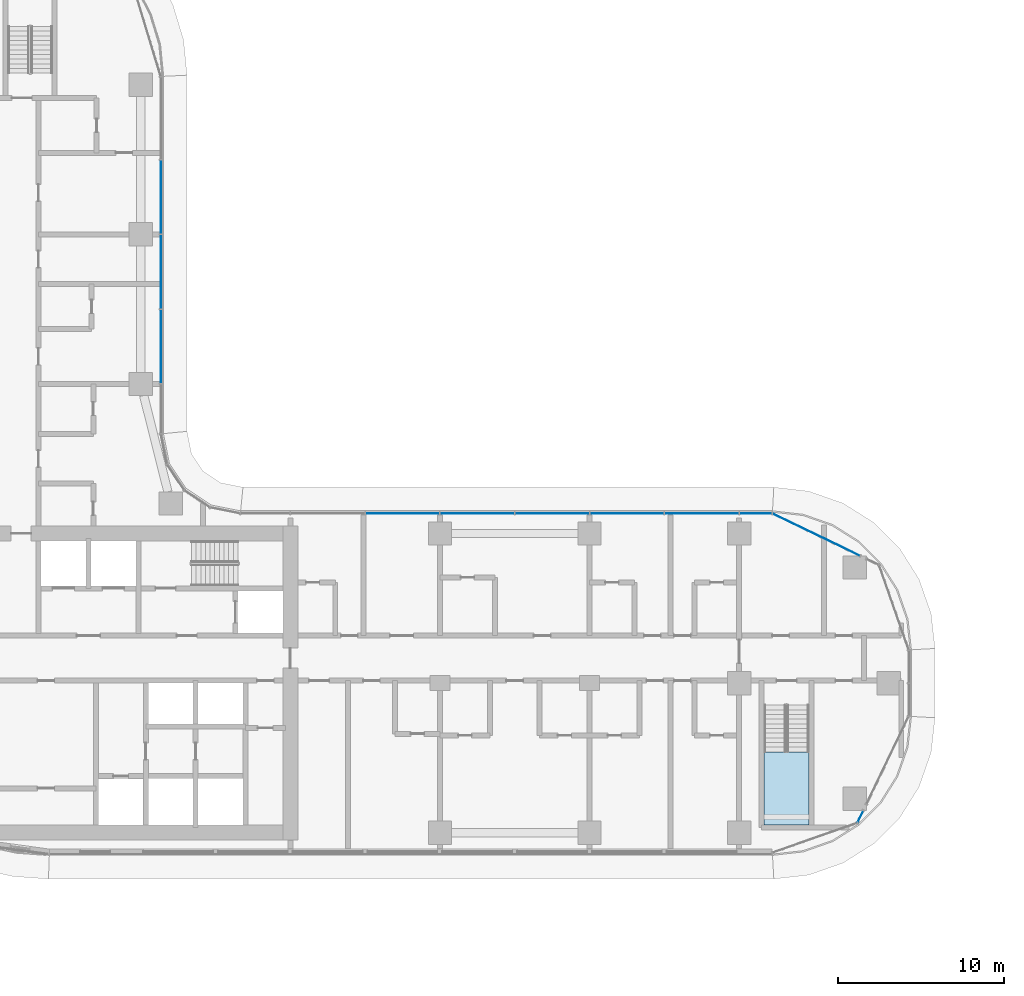
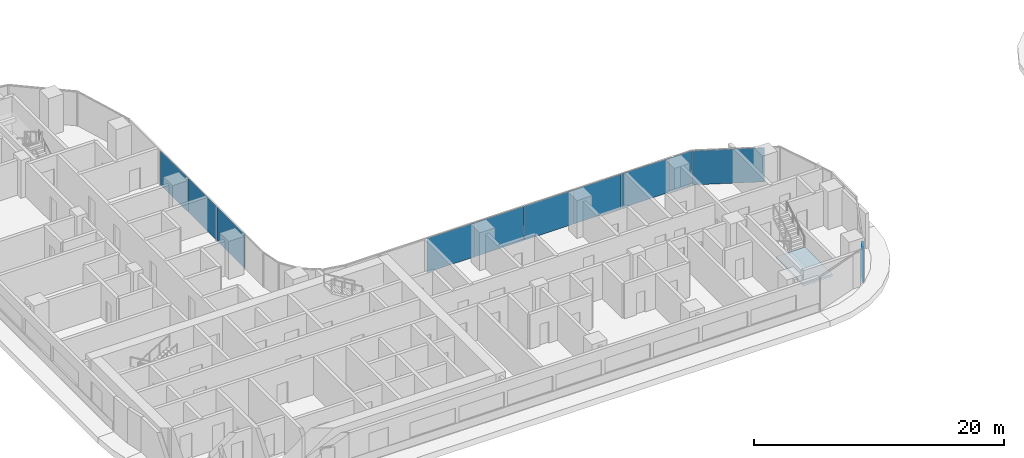
# One storey, part 15 of 39: 11 plates, 1 slab, 5 elements without a shape of their own.
"""IFC4 building model written with IfcOpenShell, lengths in metres."""

from ifc_helpers import new_model, si_unit, direction, frame, origin, origin_2d, place, context, subcontext, project, spatial, polyline, rectangle, outline, extrude, material, layer, layer_set, type_object, element, aggregate, save


model = new_model("IFC4")

# Units and contexts
model_context = context("Model", 3, precision=1e-05, world=origin(), true_north=direction((0.0, 1.0)))
body_context = subcontext(model_context, "Body", "Model", "MODEL_VIEW")
ifc_project = project(units=[si_unit("LENGTHUNIT", "METRE"), si_unit("AREAUNIT", "SQUARE_METRE"), si_unit("VOLUMEUNIT", "CUBIC_METRE"), si_unit("PLANEANGLEUNIT", "RADIAN"), si_unit("MASSUNIT", "GRAM", prefix="KILO")], contexts=[model_context])

# Site, building, storey
site_placement = place(None, origin())
site = spatial("IfcSite", under=ifc_project, at=site_placement, CompositionType="ELEMENT")
building_placement = place(site_placement, origin())
building = spatial("IfcBuilding", under=site, at=building_placement, Name="Ogive Portal Towers", CompositionType="ELEMENT")
storey_placement = place(building_placement, frame((0.0, 0.0, 44.60009765625)))
storey = spatial("IfcBuildingStorey", under=building, at=storey_placement, Name="L09", CompositionType="ELEMENT", Elevation=44.60009765625)

# Curtain wall, plates
ifc_material_1 = material(Name="Glass, clear low-iron insulated glazing", Category="glass")
curtain_wall_type = type_object("IfcCurtainWallType", Name="CW FRONT RIBBON 4500", PredefinedType="NOTDEFINED", material=ifc_material_1)
curtain_wall_1_placement = place(storey_placement, origin())
curtain_wall_1 = element("IfcCurtainWall", 1, at=curtain_wall_1_placement, inside=storey, type_object=curtain_wall_type, Name="A:L09:f11:cw0", PredefinedType="NOTDEFINED")
ifc_layer_1 = layer(ifc_material_1, 0.028076171875)
ifc_layer_set_1 = layer_set([ifc_layer_1], Name="CW PANEL IGU 28")
plate_type = type_object("IfcPlateType", Name="CW PANEL IGU 28", PredefinedType="CURTAIN_PANEL", material=ifc_layer_set_1)
plate_1_placement = place(storey_placement, frame((86.490966796875, 40.705078125, 0.0), z_axis=(0.0, 0.0, 1.0), x_axis=(-1.0, 0.0, 0.0)))
plate_1 = element("IfcPlate", 2, at=plate_1_placement, type_object=plate_type, Name="panel", PredefinedType="CURTAIN_PANEL", context=body_context, shape_type="SweptSolid", body=[
    extrude(rectangle(XDim=1.921630859375, YDim=0.028076171875, at=origin_2d()), origin(), (0.0, 0.0, 1.0), 3.340087890625),
])
plate_2_placement = place(storey_placement, frame((83.25, 40.705078125, 0.0), z_axis=(0.0, 0.0, 1.0), x_axis=(-1.0, 0.0, 0.0)))
plate_2 = element("IfcPlate", 3, at=plate_2_placement, type_object=plate_type, Name="panel", PredefinedType="CURTAIN_PANEL", context=body_context, shape_type="SweptSolid", body=[
    extrude(rectangle(XDim=4.43994140625, YDim=0.028076171875, at=origin_2d()), origin(), (0.0, 0.0, 1.0), 3.340087890625),
])
plate_3_placement = place(storey_placement, frame((78.75, 40.705078125, 0.0), z_axis=(0.0, 0.0, 1.0), x_axis=(-1.0, 0.0, 0.0)))
plate_3 = element("IfcPlate", 4, at=plate_3_placement, type_object=plate_type, Name="panel", PredefinedType="CURTAIN_PANEL", context=body_context, shape_type="SweptSolid", body=[
    extrude(rectangle(XDim=4.43994140625, YDim=0.028076171875, at=origin_2d()), origin(), (0.0, 0.0, 1.0), 3.340087890625),
])
plate_4_placement = place(storey_placement, frame((74.25, 40.705078125, 0.0), z_axis=(0.0, 0.0, 1.0), x_axis=(-1.0, 0.0, 0.0)))
plate_4 = element("IfcPlate", 5, at=plate_4_placement, type_object=plate_type, Name="panel", PredefinedType="CURTAIN_PANEL", context=body_context, shape_type="SweptSolid", body=[
    extrude(rectangle(XDim=4.43994140625, YDim=0.028076171875, at=origin_2d()), origin(), (0.0, 0.0, 1.0), 3.340087890625),
])
plate_5_placement = place(storey_placement, frame((69.75, 40.705078125, 0.0), z_axis=(0.0, 0.0, 1.0), x_axis=(-1.0, 0.0, 0.0)))
plate_5 = element("IfcPlate", 6, at=plate_5_placement, type_object=plate_type, Name="panel", PredefinedType="CURTAIN_PANEL", context=body_context, shape_type="SweptSolid", body=[
    extrude(rectangle(XDim=4.43994140625, YDim=0.028076171875, at=origin_2d()), origin(), (0.0, 0.0, 1.0), 3.340087890625),
])
plate_6_placement = place(storey_placement, frame((65.25, 40.705078125, 0.0), z_axis=(0.0, 0.0, 1.0), x_axis=(-1.0, 0.0, 0.0)))
plate_6 = element("IfcPlate", 7, at=plate_6_placement, type_object=plate_type, Name="panel", PredefinedType="CURTAIN_PANEL", context=body_context, shape_type="SweptSolid", body=[
    extrude(rectangle(XDim=4.43994140625, YDim=0.028076171875, at=origin_2d()), origin(), (0.0, 0.0, 1.0), 3.340087890625),
])
aggregate(curtain_wall_1, [plate_1, plate_2, plate_3, plate_4, plate_5, plate_6])

curtain_wall_2_placement = place(storey_placement, origin())
curtain_wall_2 = element("IfcCurtainWall", 8, at=curtain_wall_2_placement, inside=storey, type_object=curtain_wall_type, Name="A:L09:f16:cw0", PredefinedType="NOTDEFINED")
plate_7_placement = place(storey_placement, frame((50.705078125, 50.75, 0.0), z_axis=(0.0, 0.0, 1.0), x_axis=(0.0, 1.0, 0.0)))
plate_7 = element("IfcPlate", 9, at=plate_7_placement, type_object=plate_type, Name="panel", PredefinedType="CURTAIN_PANEL", context=body_context, shape_type="SweptSolid", body=[
    extrude(rectangle(XDim=4.43994140625, YDim=0.028076171875, at=origin_2d()), origin(), (0.0, 0.0, 1.0), 3.340087890625),
])
plate_8_placement = place(storey_placement, frame((50.705078125, 55.25, 0.0), z_axis=(0.0, 0.0, 1.0), x_axis=(0.0, 1.0, 0.0)))
plate_8 = element("IfcPlate", 10, at=plate_8_placement, type_object=plate_type, Name="panel", PredefinedType="CURTAIN_PANEL", context=body_context, shape_type="SweptSolid", body=[
    extrude(rectangle(XDim=4.43994140625, YDim=0.028076171875, at=origin_2d()), origin(), (0.0, 0.0, 1.0), 3.340087890625),
])
plate_9_placement = place(storey_placement, frame((50.705078125, 59.75, 0.0), z_axis=(0.0, 0.0, 1.0), x_axis=(0.0, 1.0, 0.0)))
plate_9 = element("IfcPlate", 11, at=plate_9_placement, type_object=plate_type, Name="panel", PredefinedType="CURTAIN_PANEL", context=body_context, shape_type="SweptSolid", body=[
    extrude(rectangle(XDim=4.43994140625, YDim=0.028076171875, at=origin_2d()), origin(), (0.0, 0.0, 1.0), 3.340087890625),
])
aggregate(curtain_wall_2, [plate_7, plate_8, plate_9])

# Curtain wall, plate
curtain_wall_3_placement = place(storey_placement, origin())
curtain_wall_3 = element("IfcCurtainWall", 12, at=curtain_wall_3_placement, inside=storey, type_object=curtain_wall_type, Name="A:L09:f06:cwa~0", PredefinedType="NOTDEFINED")
plate_10_placement = place(storey_placement, frame((92.79150390625, 22.468505859375, 0.0), z_axis=(0.0, 0.0, 1.0), x_axis=(0.433883739113, 0.900968867905, 0.0)))
plate_10 = element("IfcPlate", 13, at=plate_10_placement, type_object=plate_type, Name="panel", PredefinedType="CURTAIN_PANEL", context=body_context, shape_type="SweptSolid", body=[
    extrude(rectangle(XDim=0.786865234375, YDim=0.028076171875, at=origin_2d()), origin(), (0.0, 0.0, 1.0), 3.340087890625),
])
aggregate(curtain_wall_3, [plate_10])

curtain_wall_4_placement = place(storey_placement, origin())
curtain_wall_4 = element("IfcCurtainWall", 14, at=curtain_wall_4_placement, inside=storey, type_object=curtain_wall_type, Name="A:L09:f09:cwa~1", PredefinedType="NOTDEFINED")
plate_11_placement = place(storey_placement, frame((90.134521484375, 39.427490234375, 0.0), z_axis=(0.0, 0.0, 1.0), x_axis=(-0.900968867905, 0.433883739113, 0.0)))
plate_11 = element("IfcPlate", 15, at=plate_11_placement, type_object=plate_type, Name="panel", PredefinedType="CURTAIN_PANEL", context=body_context, shape_type="SweptSolid", body=[
    extrude(rectangle(XDim=5.82861328125, YDim=0.028076171875, at=origin_2d()), origin(), (0.0, 0.0, 1.0), 3.340087890625),
])
aggregate(curtain_wall_4, [plate_11])

# Stair, slab
ifc_material_2 = material(Name="Concrete C40/50", Category="concrete")
stair_type = type_object("IfcStairType", Name="INT-STAIR", PredefinedType="HALF_TURN_STAIR", material=ifc_material_2)
stair_placement = place(storey_placement, origin())
stair = element("IfcStair", 16, at=stair_placement, inside=storey, type_object=stair_type, Name="L09 Exit Stair ST-A4", PredefinedType="HALF_TURN_STAIR")
ifc_layer_2 = layer(ifc_material_2, 0.199951171875)
ifc_layer_set_2 = layer_set([ifc_layer_2], Name="INT-LANDING")
slab_type = type_object("IfcSlabType", Name="INT-LANDING", PredefinedType="LANDING", material=ifc_layer_set_2)
slab_placement = place(storey_placement, frame((0.0, 0.0, 1.64990234375)))
slab = element("IfcSlab", 17, at=slab_placement, type_object=slab_type, Name="ST-A4 landing 1", PredefinedType="LANDING", context=body_context, shape_type="SweptSolid", body=[
    extrude(outline(polyline([(87.0, 26.3701171875), (87.0, 21.949951171875), (89.699951171875, 21.949951171875), (89.699951171875, 26.3701171875), (87.0, 26.3701171875)])), origin(), (0.0, 0.0, 1.0), 0.199951171875),
])
aggregate(stair, [slab])

save(model, "model.ifc")
